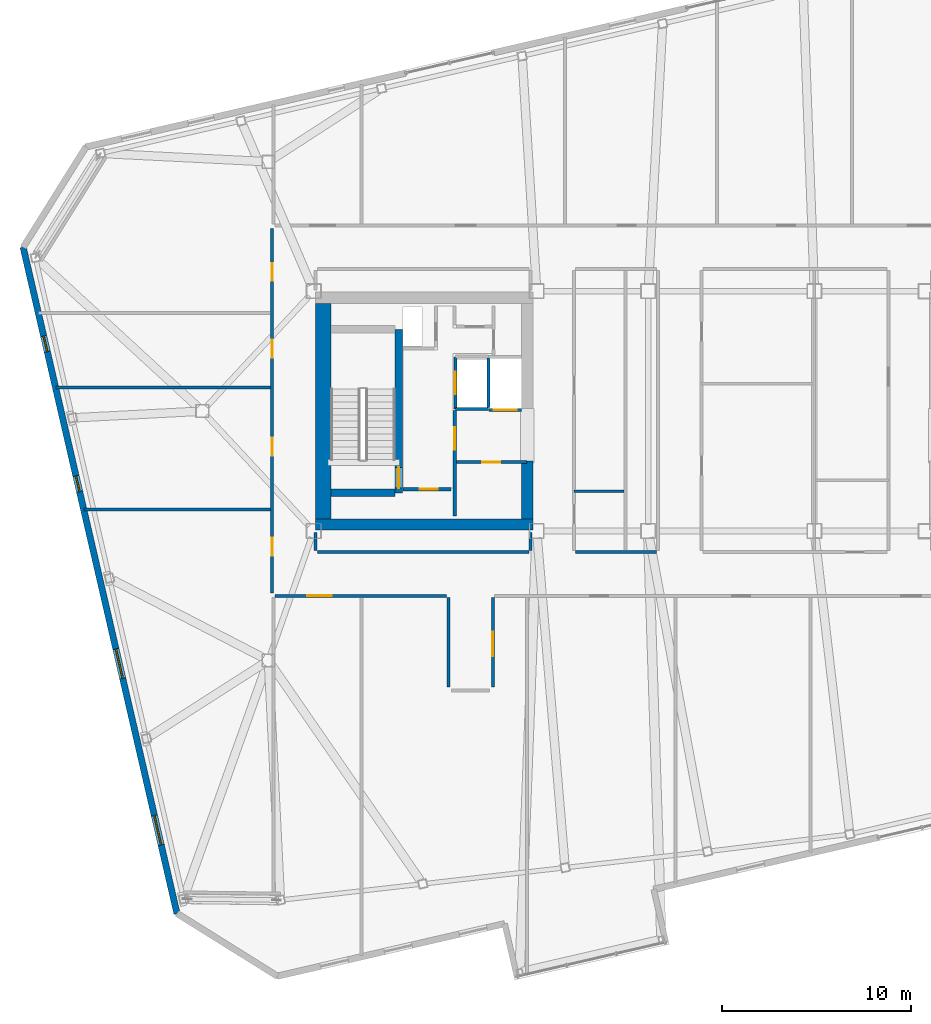
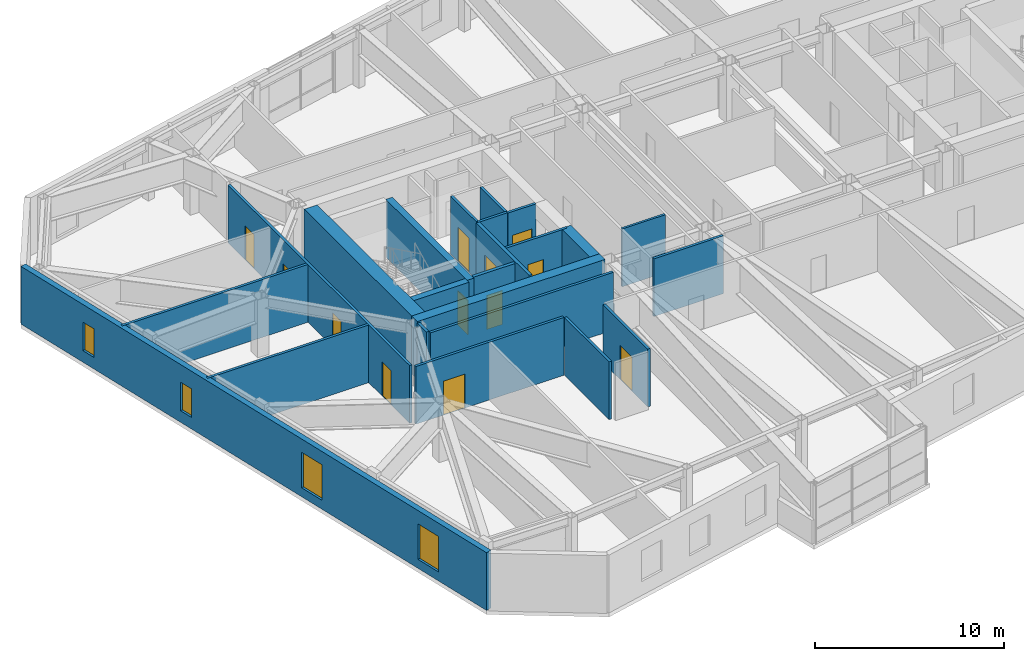
# One storey, part 16 of 23: 24 walls, 12 doors, 4 windows, 16 openings.
"""IFC4 building model written with IfcOpenShell, lengths in metres."""

from ifc_helpers import new_model, si_unit, direction, frame, frame_2d, origin, place, context, subcontext, project, spatial, rectangle, extrude, material, layer, layer_set, type_object, element, fill, save


model = new_model("IFC4")

# Units and contexts
model_context = context("Model", 3, precision=1e-05, world=origin(), true_north=direction((0.0, 1.0)))
body_context = subcontext(model_context, "Body", "Model", "MODEL_VIEW")
ifc_project = project(units=[si_unit("LENGTHUNIT", "METRE"), si_unit("AREAUNIT", "SQUARE_METRE"), si_unit("VOLUMEUNIT", "CUBIC_METRE"), si_unit("PLANEANGLEUNIT", "RADIAN"), si_unit("MASSUNIT", "GRAM", prefix="KILO")], contexts=[model_context])

# Site, building, storey
site_placement = place(None, origin())
site = spatial("IfcSite", under=ifc_project, at=site_placement, CompositionType="ELEMENT")
building_placement = place(site_placement, origin())
building = spatial("IfcBuilding", under=site, at=building_placement, Name="Tavrogorsk Clinical Tower", CompositionType="ELEMENT")
storey_placement = place(building_placement, frame((0.0, 0.0, 277.0)))
storey = spatial("IfcBuildingStorey", under=building, at=storey_placement, Name="L64", CompositionType="ELEMENT", Elevation=277.0)

# Wall, opening, door
ifc_material_1 = material(Name="Concrete B60", Category="concrete")
ifc_layer_1 = layer(ifc_material_1, 0.199951171875)
ifc_layer_set_1 = layer_set([ifc_layer_1], Name="Concrete B60")
wall_type_1 = type_object("IfcWallType", Name="CoreFireWall_200", PredefinedType="SOLIDWALL", material=ifc_layer_set_1)
wall_1_placement = place(storey_placement, frame((-17.3798828125, -4.139892578125, 0.0), z_axis=(0.0, 0.0, 1.0), x_axis=(1.0, 0.0, 0.0)))
wall_1 = element("IfcWall", 1, at=wall_1_placement, inside=storey, type_object=wall_type_1, Name="L64 Core West South Core Room Fire Wall", PredefinedType="SOLIDWALL", context=body_context, shape_type="SweptSolid", body=[
    extrude(rectangle(XDim=2.554931640625, YDim=0.199951171875, at=frame_2d((1.27734375, 0.0))), origin(), (0.0, 0.0, 1.0), 3.739990234375),
])
opening_1_placement = place(wall_1_placement, frame((0.8798828125, 0.0, 0.0)))
opening_1 = element("IfcOpeningElement", 2, at=opening_1_placement, cuts=wall_1, Name="Opening ID-02", PredefinedType="OPENING", context=body_context, shape_type="SweptSolid", body=[
    extrude(rectangle(XDim=0.949951171875, YDim=2.199951171875, at=frame_2d((0.47509765625, 1.10009765625))), frame((0.0, 0.10986328125, 0.0), z_axis=(0.0, -1.0, 0.0), x_axis=(1.0, 0.0, 0.0)), (0.0, 0.0, 1.0), 0.219970703125),
])
ifc_material_2 = material(Name="Laminated timber leaf on aluminium frame", Category="wood")
door_type_1 = type_object("IfcDoorType", Name="InteriorDoor_ID02_950", OperationType="NOTDEFINED", PredefinedType="DOOR", material=ifc_material_2)
door_1_placement = place(opening_1_placement, origin())
door_1 = element("IfcDoor", 3, at=door_1_placement, inside=storey, type_object=door_type_1, Name="L64 Core West South Core Room Door", OperationType="SINGLE_SWING_RIGHT", OverallHeight=2.199951171875, OverallWidth=0.949951171875, PredefinedType="DOOR", context=body_context, shape_type="SweptSolid", body=[
    extrude(rectangle(XDim=0.949951171875, YDim=2.199951171875, at=frame_2d((0.47509765625, 1.10009765625))), frame((0.0, 0.02490234375, 0.0), z_axis=(0.0, -1.0, 0.0), x_axis=(1.0, 0.0, 0.0)), (0.0, 0.0, 1.0), 0.050048828125),
])
fill(opening_1, door_1)

wall_2_placement = place(storey_placement, frame((-14.639892578125, -5.56005859375, 0.0), z_axis=(0.0, 0.0, 1.0), x_axis=(0.0, 1.0, 0.0)))
wall_2 = element("IfcWall", 4, at=wall_2_placement, inside=storey, type_object=wall_type_1, Name="L64 Core West Firefighting Lobby Fire Wall", PredefinedType="SOLIDWALL", context=body_context, shape_type="SweptSolid", body=[
    extrude(rectangle(XDim=5.60009765625, YDim=0.199951171875, at=frame_2d((2.800048828125, 0.0))), origin(), (0.0, 0.0, 1.0), 3.739990234375),
])
opening_2_placement = place(wall_2_placement, frame((3.510009765625, 0.0, 0.0)))
opening_2 = element("IfcOpeningElement", 5, at=opening_2_placement, cuts=wall_2, Name="Opening FD-01", PredefinedType="OPENING", context=body_context, shape_type="SweptSolid", body=[
    extrude(rectangle(XDim=1.199951171875, YDim=2.199951171875, at=frame_2d((0.60009765625, 1.10009765625))), frame((0.0, 0.10986328125, 0.0), z_axis=(0.0, -1.0, 0.0), x_axis=(1.0, 0.0, 0.0)), (0.0, 0.0, 1.0), 0.219970703125),
])
ifc_material_3 = material(Name="Galvanised steel fire-rated door assembly", Category="steel")
door_type_2 = type_object("IfcDoorType", Name="FireDoor_FD01_1200", OperationType="NOTDEFINED", PredefinedType="DOOR", material=ifc_material_3)
door_2_placement = place(opening_2_placement, origin())
door_2 = element("IfcDoor", 6, at=door_2_placement, inside=storey, type_object=door_type_2, Name="L64 Core West Firefighting Lobby Entry Door", OperationType="SINGLE_SWING_RIGHT", OverallHeight=2.199951171875, OverallWidth=1.199951171875, PredefinedType="DOOR", context=body_context, shape_type="SweptSolid", body=[
    extrude(rectangle(XDim=1.199951171875, YDim=2.199951171875, at=frame_2d((0.60009765625, 1.10009765625))), frame((0.0, 0.02490234375, 0.0), z_axis=(0.0, -1.0, 0.0), x_axis=(1.0, 0.0, 0.0)), (0.0, 0.0, 1.0), 0.050048828125),
])
fill(opening_2, door_2)

# Wall
ifc_material_4 = material(Name="Lightweight concrete blockwork B15", Category="masonry")
ifc_layer_2 = layer(ifc_material_4, 0.139892578125)
ifc_layer_set_2 = layer_set([ifc_layer_2], Name="Lightweight concrete blockwork B15")
wall_type_2 = type_object("IfcWallType", Name="PartitionWall_140", PredefinedType="PARTITIONING", material=ifc_layer_set_2)
wall_3_placement = place(storey_placement, frame((-8.31494140625, -4.25, 0.0), z_axis=(0.0, 0.0, 1.0), x_axis=(1.0, 0.0, 0.0)))
element("IfcWall", 7, at=wall_3_placement, inside=storey, type_object=wall_type_2, Name="L64 Central Spine Partition 4", PredefinedType="PARTITIONING", context=body_context, shape_type="SweptSolid", body=[
    extrude(rectangle(XDim=2.639892578125, YDim=0.139892578125, at=frame_2d((1.31982421875, 0.0))), origin(), (0.0, 0.0, 1.0), 3.739990234375),
])

# Wall, opening, door
ifc_material_5 = material(Name="Lightweight concrete blockwork B15", Category="masonry")
ifc_layer_3 = layer(ifc_material_5, 0.159912109375)
ifc_layer_set_3 = layer_set([ifc_layer_3], Name="Lightweight concrete blockwork B15")
wall_type_3 = type_object("IfcWallType", Name="PartitionWall_160", PredefinedType="PARTITIONING", material=ifc_layer_set_3)
wall_4_placement = place(storey_placement, frame((-14.534912109375, -2.699951171875, 0.0), z_axis=(0.0, 0.0, 1.0), x_axis=(1.0, 0.0, 0.0)))
wall_4 = element("IfcWall", 8, at=wall_4_placement, inside=storey, type_object=wall_type_3, Name="L64 Core West Freed Mid-Bank North Partition", PredefinedType="PARTITIONING", context=body_context, shape_type="SweptSolid", body=[
    extrude(rectangle(XDim=3.73486328125, YDim=0.159912109375, at=frame_2d((1.867431640625, 0.0))), origin(), (0.0, 0.0, 1.0), 3.739990234375),
])
opening_3_placement = place(wall_4_placement, frame((1.35009765625, 0.0, 0.0)))
opening_3 = element("IfcOpeningElement", 9, at=opening_3_placement, cuts=wall_4, Name="Opening ID-02", PredefinedType="OPENING", context=body_context, shape_type="SweptSolid", body=[
    extrude(rectangle(XDim=0.949951171875, YDim=2.199951171875, at=frame_2d((0.47509765625, 1.10009765625))), frame((0.0, 0.08984375, 0.0), z_axis=(0.0, -1.0, 0.0), x_axis=(1.0, 0.0, 0.0)), (0.0, 0.0, 1.0), 0.179931640625),
])
door_3_placement = place(opening_3_placement, origin())
door_3 = element("IfcDoor", 10, at=door_3_placement, inside=storey, type_object=door_type_1, Name="L64 Core West Pharmacy Prep Door", OperationType="SINGLE_SWING_LEFT", OverallHeight=2.199951171875, OverallWidth=0.949951171875, PredefinedType="DOOR", context=body_context, shape_type="SweptSolid", body=[
    extrude(rectangle(XDim=0.949951171875, YDim=2.199951171875, at=frame_2d((0.47509765625, 1.10009765625))), frame((0.0, 0.02490234375, 0.0), z_axis=(0.0, -1.0, 0.0), x_axis=(1.0, 0.0, 0.0)), (0.0, 0.0, 1.0), 0.050048828125),
])
fill(opening_3, door_3)

# Wall, openings, doors
wall_5_placement = place(storey_placement, frame((-24.31005859375, -9.614990234375, 0.0), z_axis=(0.0, 0.0, 1.0), x_axis=(0.0, 1.0, 0.0)))
wall_5 = element("IfcWall", 11, at=wall_5_placement, inside=storey, type_object=wall_type_3, Name="L64 Corridor Partition 01", PredefinedType="PARTITIONING", context=body_context, shape_type="SweptSolid", body=[
    extrude(rectangle(XDim=19.280029296875, YDim=0.159912109375, at=frame_2d((9.64013671875, 0.0))), origin(), (0.0, 0.0, 1.0), 3.739990234375),
])
opening_4_placement = place(wall_5_placement, frame((1.968994140625, 0.0, 0.0)))
opening_4 = element("IfcOpeningElement", 12, at=opening_4_placement, cuts=wall_5, Name="Opening ID-02", PredefinedType="OPENING", context=body_context, shape_type="SweptSolid", body=[
    extrude(rectangle(XDim=0.949951171875, YDim=2.199951171875, at=frame_2d((0.47509765625, 1.10009765625))), frame((0.0, 0.08984375, 0.0), z_axis=(0.0, -1.0, 0.0), x_axis=(1.0, 0.0, 0.0)), (0.0, 0.0, 1.0), 0.179931640625),
])
opening_5_placement = place(wall_5_placement, frame((7.25, 0.0, 0.0)))
opening_5 = element("IfcOpeningElement", 13, at=opening_5_placement, cuts=wall_5, Name="Opening ID-02", PredefinedType="OPENING", context=body_context, shape_type="SweptSolid", body=[
    extrude(rectangle(XDim=0.949951171875, YDim=2.199951171875, at=frame_2d((0.47509765625, 1.10009765625))), frame((0.0, 0.08984375, 0.0), z_axis=(0.0, -1.0, 0.0), x_axis=(1.0, 0.0, 0.0)), (0.0, 0.0, 1.0), 0.179931640625),
])
opening_6_placement = place(wall_5_placement, frame((12.449951171875, 0.0, 0.0)))
opening_6 = element("IfcOpeningElement", 14, at=opening_6_placement, cuts=wall_5, Name="Opening ID-02", PredefinedType="OPENING", context=body_context, shape_type="SweptSolid", body=[
    extrude(rectangle(XDim=0.949951171875, YDim=2.199951171875, at=frame_2d((0.47509765625, 1.10009765625))), frame((0.0, 0.08984375, 0.0), z_axis=(0.0, -1.0, 0.0), x_axis=(1.0, 0.0, 0.0)), (0.0, 0.0, 1.0), 0.179931640625),
])
opening_7_placement = place(wall_5_placement, frame((16.505859375, 0.0, 0.0)))
opening_7 = element("IfcOpeningElement", 15, at=opening_7_placement, cuts=wall_5, Name="Opening ID-02", PredefinedType="OPENING", context=body_context, shape_type="SweptSolid", body=[
    extrude(rectangle(XDim=0.949951171875, YDim=2.199951171875, at=frame_2d((0.47509765625, 1.10009765625))), frame((0.0, 0.08984375, 0.0), z_axis=(0.0, -1.0, 0.0), x_axis=(1.0, 0.0, 0.0)), (0.0, 0.0, 1.0), 0.179931640625),
])
door_4_placement = place(opening_4_placement, origin())
door_4 = element("IfcDoor", 16, at=door_4_placement, inside=storey, type_object=door_type_1, Name="L64 W Solarium Day Room & Lounge 1 Door", OperationType="SINGLE_SWING_LEFT", OverallHeight=2.199951171875, OverallWidth=0.949951171875, PredefinedType="DOOR", context=body_context, shape_type="SweptSolid", body=[
    extrude(rectangle(XDim=0.949951171875, YDim=2.199951171875, at=frame_2d((0.47509765625, 1.10009765625))), frame((0.0, 0.02490234375, 0.0), z_axis=(0.0, -1.0, 0.0), x_axis=(1.0, 0.0, 0.0)), (0.0, 0.0, 1.0), 0.050048828125),
])
fill(opening_4, door_4)
door_5_placement = place(opening_5_placement, origin())
door_5 = element("IfcDoor", 17, at=door_5_placement, inside=storey, type_object=door_type_1, Name="L64 W Rehabilitation Therapy Suite 2 Door", OperationType="SINGLE_SWING_RIGHT", OverallHeight=2.199951171875, OverallWidth=0.949951171875, PredefinedType="DOOR", context=body_context, shape_type="SweptSolid", body=[
    extrude(rectangle(XDim=0.949951171875, YDim=2.199951171875, at=frame_2d((0.47509765625, 1.10009765625))), frame((0.0, 0.02490234375, 0.0), z_axis=(0.0, -1.0, 0.0), x_axis=(1.0, 0.0, 0.0)), (0.0, 0.0, 1.0), 0.050048828125),
])
fill(opening_5, door_5)
door_6_placement = place(opening_6_placement, origin())
door_6 = element("IfcDoor", 18, at=door_6_placement, inside=storey, type_object=door_type_1, Name="L64 W Sub-Acute Observation Suite 3 Door", OperationType="SINGLE_SWING_LEFT", OverallHeight=2.199951171875, OverallWidth=0.949951171875, PredefinedType="DOOR", context=body_context, shape_type="SweptSolid", body=[
    extrude(rectangle(XDim=0.949951171875, YDim=2.199951171875, at=frame_2d((0.47509765625, 1.10009765625))), frame((0.0, 0.02490234375, 0.0), z_axis=(0.0, -1.0, 0.0), x_axis=(1.0, 0.0, 0.0)), (0.0, 0.0, 1.0), 0.050048828125),
])
fill(opening_6, door_6)
door_7_placement = place(opening_7_placement, origin())
door_7 = element("IfcDoor", 19, at=door_7_placement, inside=storey, type_object=door_type_1, Name="L64 W Family Consultation Lounge 4 Door", OperationType="SINGLE_SWING_RIGHT", OverallHeight=2.199951171875, OverallWidth=0.949951171875, PredefinedType="DOOR", context=body_context, shape_type="SweptSolid", body=[
    extrude(rectangle(XDim=0.949951171875, YDim=2.199951171875, at=frame_2d((0.47509765625, 1.10009765625))), frame((0.0, 0.02490234375, 0.0), z_axis=(0.0, -1.0, 0.0), x_axis=(1.0, 0.0, 0.0)), (0.0, 0.0, 1.0), 0.050048828125),
])
fill(opening_7, door_7)

# Wall, opening, door
wall_6_placement = place(storey_placement, frame((-12.6201171875, -9.864990234375, 0.0), z_axis=(0.0, 0.0, 1.0), x_axis=(0.0, -1.0, 0.0)))
wall_6 = element("IfcWall", 20, at=wall_6_placement, inside=storey, type_object=wall_type_3, Name="L64 Corridor Partition 05", PredefinedType="PARTITIONING", context=body_context, shape_type="SweptSolid", body=[
    extrude(rectangle(XDim=4.75, YDim=0.159912109375, at=frame_2d((2.375, 0.0))), origin(), (0.0, 0.0, 1.0), 3.739990234375),
])
opening_8_placement = place(wall_6_placement, frame((1.81005859375, 0.0, 0.0)))
opening_8 = element("IfcOpeningElement", 21, at=opening_8_placement, cuts=wall_6, Name="Opening ID-01", PredefinedType="OPENING", context=body_context, shape_type="SweptSolid", body=[
    extrude(rectangle(XDim=1.300048828125, YDim=2.199951171875, at=frame_2d((0.64990234375, 1.10009765625))), frame((0.0, 0.08984375, 0.0), z_axis=(0.0, -1.0, 0.0), x_axis=(1.0, 0.0, 0.0)), (0.0, 0.0, 1.0), 0.179931640625),
])
ifc_material_6 = material(Name="Antibacterial HPL medical leaf on aluminium frame", Category="aluminium")
door_type_3 = type_object("IfcDoorType", Name="WardBedDoor_ID01_1300", OperationType="NOTDEFINED", PredefinedType="DOOR", material=ifc_material_6)
door_8_placement = place(opening_8_placement, origin())
door_8 = element("IfcDoor", 22, at=door_8_placement, inside=storey, type_object=door_type_3, Name="L64 South Surgical Step-Down Ward 02A Door", OperationType="SINGLE_SWING_LEFT", OverallHeight=2.199951171875, OverallWidth=1.300048828125, PredefinedType="DOOR", context=body_context, shape_type="SweptSolid", body=[
    extrude(rectangle(XDim=1.300048828125, YDim=2.199951171875, at=frame_2d((0.64990234375, 1.10009765625))), frame((0.0, 0.02490234375, 0.0), z_axis=(0.0, -1.0, 0.0), x_axis=(1.0, 0.0, 0.0)), (0.0, 0.0, 1.0), 0.050048828125),
])
fill(opening_8, door_8)

# Wall
wall_7_placement = place(storey_placement, frame((-14.97998046875, -14.614990234375, 0.0), z_axis=(0.0, 0.0, 1.0), x_axis=(0.0, 1.0, 0.0)))
element("IfcWall", 23, at=wall_7_placement, inside=storey, type_object=wall_type_3, Name="L64 Corridor Partition 07", PredefinedType="PARTITIONING", context=body_context, shape_type="SweptSolid", body=[
    extrude(rectangle(XDim=4.75, YDim=0.159912109375, at=frame_2d((2.375, 0.0))), origin(), (0.0, 0.0, 1.0), 3.739990234375),
])

# Wall, opening, door
wall_8_placement = place(storey_placement, frame((-15.06494140625, -9.780029296875, 0.0), z_axis=(0.0, 0.0, 1.0), x_axis=(-1.0, 0.0, 0.0)))
wall_8 = element("IfcWall", 24, at=wall_8_placement, inside=storey, type_object=wall_type_3, Name="L64 Corridor Partition 08", PredefinedType="PARTITIONING", context=body_context, shape_type="SweptSolid", body=[
    extrude(rectangle(XDim=9.080078125, YDim=0.159912109375, at=frame_2d((4.5400390625, 0.0))), origin(), (0.0, 0.0, 1.0), 3.739990234375),
])
opening_9_placement = place(wall_8_placement, frame((6.080810546875, 0.0, 0.0)))
opening_9 = element("IfcOpeningElement", 25, at=opening_9_placement, cuts=wall_8, Name="Opening ID-01", PredefinedType="OPENING", context=body_context, shape_type="SweptSolid", body=[
    extrude(rectangle(XDim=1.300048828125, YDim=2.199951171875, at=frame_2d((0.64990234375, 1.10009765625))), frame((0.0, 0.08984375, 0.0), z_axis=(0.0, -1.0, 0.0), x_axis=(1.0, 0.0, 0.0)), (0.0, 0.0, 1.0), 0.179931640625),
])
door_9_placement = place(opening_9_placement, origin())
door_9 = element("IfcDoor", 26, at=door_9_placement, inside=storey, type_object=door_type_3, Name="L64 South Bariatric Observation Ward 01 Door", OperationType="SINGLE_SWING_RIGHT", OverallHeight=2.199951171875, OverallWidth=1.300048828125, PredefinedType="DOOR", context=body_context, shape_type="SweptSolid", body=[
    extrude(rectangle(XDim=1.300048828125, YDim=2.199951171875, at=frame_2d((0.64990234375, 1.10009765625))), frame((0.0, 0.02490234375, 0.0), z_axis=(0.0, -1.0, 0.0), x_axis=(1.0, 0.0, 0.0)), (0.0, 0.0, 1.0), 0.050048828125),
])
fill(opening_9, door_9)

# Walls
wall_9_placement = place(storey_placement, frame((-8.235107421875, -7.469970703125, 0.0), z_axis=(0.0, 0.0, 1.0), x_axis=(1.0, 0.0, 0.0)))
element("IfcWall", 27, at=wall_9_placement, inside=storey, type_object=wall_type_3, Name="L64 Corridor Partition 22", PredefinedType="PARTITIONING", context=body_context, shape_type="SweptSolid", body=[
    extrude(rectangle(XDim=4.27001953125, YDim=0.159912109375, at=frame_2d((2.135009765625, 0.0))), origin(), (0.0, 0.0, 1.0), 3.739990234375),
])
wall_10_placement = place(storey_placement, frame((-10.6298828125, -7.385009765625, 0.0), z_axis=(0.0, 0.0, 1.0), x_axis=(0.0, 1.0, 0.0)))
element("IfcWall", 28, at=wall_10_placement, inside=storey, type_object=wall_type_3, Name="L64 Corridor Partition 23", PredefinedType="PARTITIONING", context=body_context, shape_type="SweptSolid", body=[
    extrude(rectangle(XDim=0.965087890625, YDim=0.159912109375, at=frame_2d((0.482421875, 0.0))), origin(), (0.0, 0.0, 1.0), 1.534912109375),
])
wall_11_placement = place(storey_placement, frame((-22.0, -6.419921875, 0.0), z_axis=(0.0, 0.0, 1.0), x_axis=(0.0, -1.0, 0.0)))
element("IfcWall", 29, at=wall_11_placement, inside=storey, type_object=wall_type_3, Name="L64 Corridor Partition 27", PredefinedType="PARTITIONING", context=body_context, shape_type="SweptSolid", body=[
    extrude(rectangle(XDim=0.965087890625, YDim=0.159912109375, at=frame_2d((0.482421875, 0.0))), origin(), (0.0, 0.0, 1.0), 3.739990234375),
])
wall_12_placement = place(storey_placement, frame((-21.9150390625, -7.469970703125, 0.0), z_axis=(0.0, 0.0, 1.0), x_axis=(1.0, 0.0, 0.0)))
element("IfcWall", 30, at=wall_12_placement, inside=storey, type_object=wall_type_3, Name="L64 Corridor Partition 28", PredefinedType="PARTITIONING", context=body_context, shape_type="SweptSolid", body=[
    extrude(rectangle(XDim=11.199951171875, YDim=0.159912109375, at=frame_2d((5.60009765625, 0.0))), origin(), (0.0, 0.0, 1.0), 3.739990234375),
])
wall_13_placement = place(storey_placement, frame((-34.26171875, -5.199951171875, 0.0), z_axis=(0.0, 0.0, 1.0), x_axis=(1.0, 0.0, 0.0)))
element("IfcWall", 31, at=wall_13_placement, inside=storey, type_object=wall_type_3, Name="L64 W Wing Divider 1", PredefinedType="PARTITIONING", context=body_context, shape_type="SweptSolid", body=[
    extrude(rectangle(XDim=9.86669921875, YDim=0.159912109375, at=frame_2d((4.933349609375, 0.0))), origin(), (0.0, 0.0, 1.0), 3.739990234375),
])
wall_14_placement = place(storey_placement, frame((-35.7509765625, 1.25, 0.0), z_axis=(0.0, 0.0, 1.0), x_axis=(1.0, 0.0, 0.0)))
element("IfcWall", 32, at=wall_14_placement, inside=storey, type_object=wall_type_3, Name="L64 W Wing Divider 2", PredefinedType="PARTITIONING", context=body_context, shape_type="SweptSolid", body=[
    extrude(rectangle(XDim=11.35595703125, YDim=0.159912109375, at=frame_2d((5.677978515625, 0.0))), origin(), (0.0, 0.0, 1.0), 3.739990234375),
])

# Wall, openings, windows
ifc_material_7 = material(Name="Precast concrete B45 with limestone cladding", Category="masonry")
ifc_layer_4 = layer(ifc_material_7, 0.340087890625)
ifc_layer_set_4 = layer_set([ifc_layer_4], Name="Precast concrete B45 with limestone cladding")
wall_type_4 = type_object("IfcWallType", Name="PrecastLimestoneWall_340", PredefinedType="STANDARD", material=ifc_layer_set_4)
wall_15_placement = place(storey_placement, frame((-37.48583984375, 8.676025390625, 0.0), z_axis=(0.0, 0.0, 1.0), x_axis=(0.224953091034, -0.974369594576, 0.0)))
wall_15 = element("IfcWall", 33, at=wall_15_placement, inside=storey, type_object=wall_type_4, Name="L64 W Pleated Limestone Wing Wall", PredefinedType="STANDARD", context=body_context, shape_type="SweptSolid", body=[
    extrude(rectangle(XDim=36.199951171875, YDim=0.340087890625, at=frame_2d((18.10009765625, 0.0))), origin(), (0.0, 0.0, 1.0), 3.739990234375),
])
opening_10_placement = place(wall_15_placement, frame((4.824951171875, 0.0, 0.75)))
opening_10 = element("IfcOpeningElement", 34, at=opening_10_placement, cuts=wall_15, Name="Opening WN-06", PredefinedType="OPENING", context=body_context, shape_type="SweptSolid", body=[
    extrude(rectangle(XDim=0.85009765625, YDim=1.85009765625, at=frame_2d((0.425048828125, 0.925048828125))), frame((0.0, 0.179931640625, 0.0), z_axis=(0.0, -1.0, 0.0), x_axis=(1.0, 0.0, 0.0)), (0.0, 0.0, 1.0), 0.360107421875),
])
opening_11_placement = place(wall_15_placement, frame((12.425048828125, 0.0, 0.75)))
opening_11 = element("IfcOpeningElement", 35, at=opening_11_placement, cuts=wall_15, Name="Opening WN-06", PredefinedType="OPENING", context=body_context, shape_type="SweptSolid", body=[
    extrude(rectangle(XDim=0.85009765625, YDim=1.85009765625, at=frame_2d((0.425048828125, 0.925048828125))), frame((0.0, 0.179931640625, 0.0), z_axis=(0.0, -1.0, 0.0), x_axis=(1.0, 0.0, 0.0)), (0.0, 0.0, 1.0), 0.360107421875),
])
opening_12_placement = place(wall_15_placement, frame((21.824951171875, 0.0, 0.580078125)))
opening_12 = element("IfcOpeningElement", 36, at=opening_12_placement, cuts=wall_15, Name="Opening WN-07", PredefinedType="OPENING", context=body_context, shape_type="SweptSolid", body=[
    extrude(rectangle(XDim=1.60009765625, YDim=2.300048828125, at=frame_2d((0.800048828125, 1.14990234375))), frame((0.0, 0.179931640625, 0.0), z_axis=(0.0, -1.0, 0.0), x_axis=(1.0, 0.0, 0.0)), (0.0, 0.0, 1.0), 0.360107421875),
])
opening_13_placement = place(wall_15_placement, frame((30.875, 0.0, 0.580078125)))
opening_13 = element("IfcOpeningElement", 37, at=opening_13_placement, cuts=wall_15, Name="Opening WN-07", PredefinedType="OPENING", context=body_context, shape_type="SweptSolid", body=[
    extrude(rectangle(XDim=1.60009765625, YDim=2.300048828125, at=frame_2d((0.800048828125, 1.14990234375))), frame((0.0, 0.179931640625, 0.0), z_axis=(0.0, -1.0, 0.0), x_axis=(1.0, 0.0, 0.0)), (0.0, 0.0, 1.0), 0.360107421875),
])
ifc_material_8 = material(Name="Thermally broken aluminium frame and triple IGU", Category="aluminium")
window_type_1 = type_object("IfcWindowType", Name="MullionSubWin_850x1850", PartitioningType="SINGLE_PANEL", PredefinedType="WINDOW", material=ifc_material_8)
window_1_placement = place(opening_10_placement, origin())
window_1 = element("IfcWindow", 38, at=window_1_placement, inside=storey, type_object=window_type_1, Name="L64 W Pleat Mullion Window 1B", OverallHeight=1.85009765625, OverallWidth=0.85009765625, PartitioningType="SINGLE_PANEL", PredefinedType="WINDOW", context=body_context, shape_type="SweptSolid", body=[
    extrude(rectangle(XDim=0.85009765625, YDim=1.85009765625, at=frame_2d((0.425048828125, 0.925048828125))), frame((0.0, 0.030029296875, 0.0), z_axis=(0.0, -1.0, 0.0), x_axis=(1.0, 0.0, 0.0)), (0.0, 0.0, 1.0), 0.06005859375),
])
fill(opening_10, window_1)
window_2_placement = place(opening_11_placement, origin())
window_2 = element("IfcWindow", 39, at=window_2_placement, inside=storey, type_object=window_type_1, Name="L64 W Pleat Mullion Window 2A", OverallHeight=1.85009765625, OverallWidth=0.85009765625, PartitioningType="SINGLE_PANEL", PredefinedType="WINDOW", context=body_context, shape_type="SweptSolid", body=[
    extrude(rectangle(XDim=0.85009765625, YDim=1.85009765625, at=frame_2d((0.425048828125, 0.925048828125))), frame((0.0, 0.030029296875, 0.0), z_axis=(0.0, -1.0, 0.0), x_axis=(1.0, 0.0, 0.0)), (0.0, 0.0, 1.0), 0.06005859375),
])
fill(opening_11, window_2)
ifc_material_9 = material(Name="Thermally broken aluminium frame and triple IGU", Category="aluminium")
window_type_2 = type_object("IfcWindowType", Name="PleatSlotWin_1600x2300", PartitioningType="SINGLE_PANEL", PredefinedType="WINDOW", material=ifc_material_9)
window_3_placement = place(opening_12_placement, origin())
window_3 = element("IfcWindow", 40, at=window_3_placement, inside=storey, type_object=window_type_2, Name="L64 W Pleat Slot Window 3", OverallHeight=2.300048828125, OverallWidth=1.60009765625, PartitioningType="SINGLE_PANEL", PredefinedType="WINDOW", context=body_context, shape_type="SweptSolid", body=[
    extrude(rectangle(XDim=1.60009765625, YDim=2.300048828125, at=frame_2d((0.800048828125, 1.14990234375))), frame((0.0, 0.030029296875, 0.0), z_axis=(0.0, -1.0, 0.0), x_axis=(1.0, 0.0, 0.0)), (0.0, 0.0, 1.0), 0.06005859375),
])
fill(opening_12, window_3)
window_4_placement = place(opening_13_placement, origin())
window_4 = element("IfcWindow", 41, at=window_4_placement, inside=storey, type_object=window_type_2, Name="L64 W Pleat Slot Window 4", OverallHeight=2.300048828125, OverallWidth=1.60009765625, PartitioningType="SINGLE_PANEL", PredefinedType="WINDOW", context=body_context, shape_type="SweptSolid", body=[
    extrude(rectangle(XDim=1.60009765625, YDim=2.300048828125, at=frame_2d((0.800048828125, 1.14990234375))), frame((0.0, 0.030029296875, 0.0), z_axis=(0.0, -1.0, 0.0), x_axis=(1.0, 0.0, 0.0)), (0.0, 0.0, 1.0), 0.06005859375),
])
fill(opening_13, window_4)

# Wall, opening, door
ifc_material_10 = material(Name="Lightweight concrete blockwork B25", Category="masonry")
ifc_layer_5 = layer(ifc_material_10, 0.159912109375)
ifc_layer_set_5 = layer_set([ifc_layer_5], Name="Lightweight concrete blockwork B25")
wall_type_5 = type_object("IfcWallType", Name="ShaftWall_160", PredefinedType="PARTITIONING", material=ifc_layer_set_5)
wall_16_placement = place(storey_placement, frame((-14.60009765625, 0.1201171875, 0.0), z_axis=(0.0, 0.0, 1.0), x_axis=(0.0, 1.0, 0.0)))
wall_16 = element("IfcWall", 42, at=wall_16_placement, inside=storey, type_object=wall_type_5, Name="L64 FFL-W Firefighting Lift Front Wall", PredefinedType="PARTITIONING", context=body_context, shape_type="SweptSolid", body=[
    extrude(rectangle(XDim=2.739990234375, YDim=0.159912109375, at=frame_2d((1.3701171875, 0.0))), origin(), (0.0, 0.0, 1.0), 3.739990234375),
])
opening_14_placement = place(wall_16_placement, frame((0.77001953125, 0.0, 0.0)))
opening_14 = element("IfcOpeningElement", 43, at=opening_14_placement, cuts=wall_16, Name="Opening LD", PredefinedType="OPENING", context=body_context, shape_type="SweptSolid", body=[
    extrude(rectangle(XDim=1.199951171875, YDim=2.199951171875, at=frame_2d((0.60009765625, 1.10009765625))), frame((0.0, 0.08984375, 0.0), z_axis=(0.0, -1.0, 0.0), x_axis=(1.0, 0.0, 0.0)), (0.0, 0.0, 1.0), 0.179931640625),
])
ifc_material_11 = material(Name="Brushed stainless steel AISI 304 sliding doors", Category="steel")
door_type_4 = type_object("IfcDoorType", Name="LiftLandingDoor_LD_1200", OperationType="SLIDING_TO_LEFT", PredefinedType="DOOR", material=ifc_material_11)
door_10_placement = place(opening_14_placement, origin())
door_10 = element("IfcDoor", 44, at=door_10_placement, inside=storey, type_object=door_type_4, Name="L64 FFL-W Sliding Lift Landing Door", OperationType="SLIDING_TO_LEFT", OverallHeight=2.199951171875, OverallWidth=1.199951171875, PredefinedType="DOOR", context=body_context, shape_type="SweptSolid", body=[
    extrude(rectangle(XDim=1.199951171875, YDim=2.199951171875, at=frame_2d((0.60009765625, 1.10009765625))), frame((0.0, 0.02490234375, 0.0), z_axis=(0.0, -1.0, 0.0), x_axis=(1.0, 0.0, 0.0)), (0.0, 0.0, 1.0), 0.050048828125),
])
fill(opening_14, door_10)

# Walls
wall_17_placement = place(storey_placement, frame((-14.60009765625, 0.10009765625, 0.0), z_axis=(0.0, 0.0, 1.0), x_axis=(1.0, 0.0, 0.0)))
element("IfcWall", 45, at=wall_17_placement, inside=storey, type_object=wall_type_5, Name="L64 FFL-W Shaft South Wall", PredefinedType="PARTITIONING", context=body_context, shape_type="SweptSolid", body=[
    extrude(rectangle(XDim=1.760009765625, YDim=0.159912109375, at=frame_2d((0.8798828125, 0.0))), origin(), (0.0, 0.0, 1.0), 3.739990234375),
])
wall_18_placement = place(storey_placement, frame((-12.840087890625, 0.179931640625, 0.0), z_axis=(0.0, 0.0, 1.0), x_axis=(0.0, 1.0, 0.0)))
element("IfcWall", 46, at=wall_18_placement, inside=storey, type_object=wall_type_5, Name="L64 FFL-W Shaft Back Wall", PredefinedType="PARTITIONING", context=body_context, shape_type="SweptSolid", body=[
    extrude(rectangle(XDim=2.6201171875, YDim=0.159912109375, at=frame_2d((1.31005859375, 0.0))), origin(), (0.0, 0.0, 1.0), 3.739990234375),
])

# Wall, opening, door
wall_19_placement = place(storey_placement, frame((-12.820068359375, 0.06005859375, 0.0), z_axis=(0.0, 0.0, 1.0), x_axis=(1.0, 0.0, 0.0)))
wall_19 = element("IfcWall", 47, at=wall_19_placement, inside=storey, type_object=wall_type_5, Name="L64 LP-H1 High-Zone Lift Portal Wall", PredefinedType="PARTITIONING", context=body_context, shape_type="SweptSolid", body=[
    extrude(rectangle(XDim=1.719970703125, YDim=0.159912109375, at=frame_2d((0.85986328125, 0.0))), origin(), (0.0, 0.0, 1.0), 3.739990234375),
])
opening_15_placement = place(wall_19_placement, frame((0.260009765625, 0.0, 0.0)))
opening_15 = element("IfcOpeningElement", 48, at=opening_15_placement, cuts=wall_19, Name="Opening LD", PredefinedType="OPENING", context=body_context, shape_type="SweptSolid", body=[
    extrude(rectangle(XDim=1.199951171875, YDim=2.199951171875, at=frame_2d((0.60009765625, 1.10009765625))), frame((0.0, 0.08984375, 0.0), z_axis=(0.0, -1.0, 0.0), x_axis=(1.0, 0.0, 0.0)), (0.0, 0.0, 1.0), 0.179931640625),
])
door_11_placement = place(opening_15_placement, origin())
door_11 = element("IfcDoor", 49, at=door_11_placement, inside=storey, type_object=door_type_4, Name="L64 LP-H1 Sliding Lift Landing Door", OperationType="SLIDING_TO_LEFT", OverallHeight=2.199951171875, OverallWidth=1.199951171875, PredefinedType="DOOR", context=body_context, shape_type="SweptSolid", body=[
    extrude(rectangle(XDim=1.199951171875, YDim=2.199951171875, at=frame_2d((0.60009765625, 1.10009765625))), frame((0.0, 0.02490234375, 0.0), z_axis=(0.0, -1.0, 0.0), x_axis=(1.0, 0.0, 0.0)), (0.0, 0.0, 1.0), 0.050048828125),
])
fill(opening_15, door_11)

ifc_material_12 = material(Name="Concrete B80", Category="concrete")
ifc_layer_6 = layer(ifc_material_12, 0.39990234375)
ifc_layer_set_6 = layer_set([ifc_layer_6], Name="Concrete B80")
wall_type_6 = type_object("IfcWallType", Name="ShearWall_400", PredefinedType="SHEAR", material=ifc_layer_set_6)
wall_20_placement = place(storey_placement, frame((-17.60009765625, -4.324951171875, 0.0), z_axis=(0.0, 0.0, 1.0), x_axis=(0.0, 1.0, 0.0)))
wall_20 = element("IfcWall", 50, at=wall_20_placement, inside=storey, type_object=wall_type_6, Name="L64 Core West Stair Shaft Inner Shear Wall", PredefinedType="SHEAR", context=body_context, shape_type="SweptSolid", body=[
    extrude(rectangle(XDim=8.64990234375, YDim=0.39990234375, at=frame_2d((4.324951171875, 0.0))), origin(), (0.0, 0.0, 1.0), 3.739990234375),
])
opening_16_placement = place(wall_20_placement, frame((0.25, 0.0, 0.0)))
opening_16 = element("IfcOpeningElement", 51, at=opening_16_placement, cuts=wall_20, Name="Opening SD-01", PredefinedType="OPENING", context=body_context, shape_type="SweptSolid", body=[
    extrude(rectangle(XDim=1.10009765625, YDim=2.199951171875, at=frame_2d((0.550048828125, 1.10009765625))), frame((0.0, 0.2099609375, 0.0), z_axis=(0.0, -1.0, 0.0), x_axis=(1.0, 0.0, 0.0)), (0.0, 0.0, 1.0), 0.419921875),
])
ifc_material_13 = material(Name="Galvanised steel smoke-tight fire door assembly", Category="steel")
door_type_5 = type_object("IfcDoorType", Name="StairFireDoor_SD01_1100", OperationType="NOTDEFINED", PredefinedType="DOOR", material=ifc_material_13)
door_12_placement = place(opening_16_placement, origin())
door_12 = element("IfcDoor", 52, at=door_12_placement, inside=storey, type_object=door_type_5, Name="L64 ST-W Exit Stair Door", OperationType="SINGLE_SWING_LEFT", OverallHeight=2.199951171875, OverallWidth=1.10009765625, PredefinedType="DOOR", context=body_context, shape_type="SweptSolid", body=[
    extrude(rectangle(XDim=1.10009765625, YDim=2.199951171875, at=frame_2d((0.550048828125, 1.10009765625))), frame((0.0, 0.02490234375, 0.0), z_axis=(0.0, -1.0, 0.0), x_axis=(1.0, 0.0, 0.0)), (0.0, 0.0, 1.0), 0.050048828125),
])
fill(opening_16, door_12)

# Walls
wall_21_placement = place(storey_placement, frame((-21.199951171875, -4.324951171875, 0.0), z_axis=(0.0, 0.0, 1.0), x_axis=(1.0, 0.0, 0.0)))
element("IfcWall", 53, at=wall_21_placement, inside=storey, type_object=wall_type_6, Name="L64 Core West Stair Shaft South Shear Wall", PredefinedType="SHEAR", context=body_context, shape_type="SweptSolid", body=[
    extrude(rectangle(XDim=3.39990234375, YDim=0.39990234375, at=frame_2d((1.699951171875, 0.0))), origin(), (0.0, 0.0, 1.0), 3.739990234375),
])
ifc_material_14 = material(Name="Concrete B80", Category="concrete")
ifc_layer_7 = layer(ifc_material_14, 0.60009765625)
ifc_layer_set_7 = layer_set([ifc_layer_7], Name="Concrete B80")
wall_type_7 = type_object("IfcWallType", Name="ShearWall_600", PredefinedType="SHEAR", material=ifc_layer_set_7)
wall_22_placement = place(storey_placement, frame((-22.0, -6.0, 0.0), z_axis=(0.0, 0.0, 1.0), x_axis=(1.0, 0.0, 0.0)))
element("IfcWall", 54, at=wall_22_placement, inside=storey, type_object=wall_type_7, Name="L64 Core West South Shear Wall", PredefinedType="SHEAR", context=body_context, shape_type="SweptSolid", body=[
    extrude(rectangle(XDim=11.5, YDim=0.60009765625, at=frame_2d((5.75, 0.0))), origin(), (0.0, 0.0, 1.0), 3.739990234375),
])
wall_23_placement = place(storey_placement, frame((-10.800048828125, -5.699951171875, 0.0), z_axis=(0.0, 0.0, 1.0), x_axis=(0.0, 1.0, 0.0)))
element("IfcWall", 55, at=wall_23_placement, inside=storey, type_object=wall_type_7, Name="L64 Core West Inner South Pier", PredefinedType="SHEAR", context=body_context, shape_type="SweptSolid", body=[
    extrude(rectangle(XDim=3.050048828125, YDim=0.60009765625, at=frame_2d((1.52490234375, 0.0))), origin(), (0.0, 0.0, 1.0), 3.739990234375),
])
ifc_material_15 = material(Name="Concrete B80", Category="concrete")
ifc_layer_8 = layer(ifc_material_15, 0.800048828125)
ifc_layer_set_8 = layer_set([ifc_layer_8], Name="Concrete B80")
wall_type_8 = type_object("IfcWallType", Name="ShearWall_800", PredefinedType="SHEAR", material=ifc_layer_set_8)
wall_24_placement = place(storey_placement, frame((-21.60009765625, -5.699951171875, 0.0), z_axis=(0.0, 0.0, 1.0), x_axis=(0.0, 1.0, 0.0)))
element("IfcWall", 56, at=wall_24_placement, inside=storey, type_object=wall_type_8, Name="L64 Core West End Shear Wall", PredefinedType="SHEAR", context=body_context, shape_type="SweptSolid", body=[
    extrude(rectangle(XDim=11.39990234375, YDim=0.800048828125, at=frame_2d((5.699951171875, 0.0))), origin(), (0.0, 0.0, 1.0), 3.739990234375),
])

save(model, "model.ifc")
